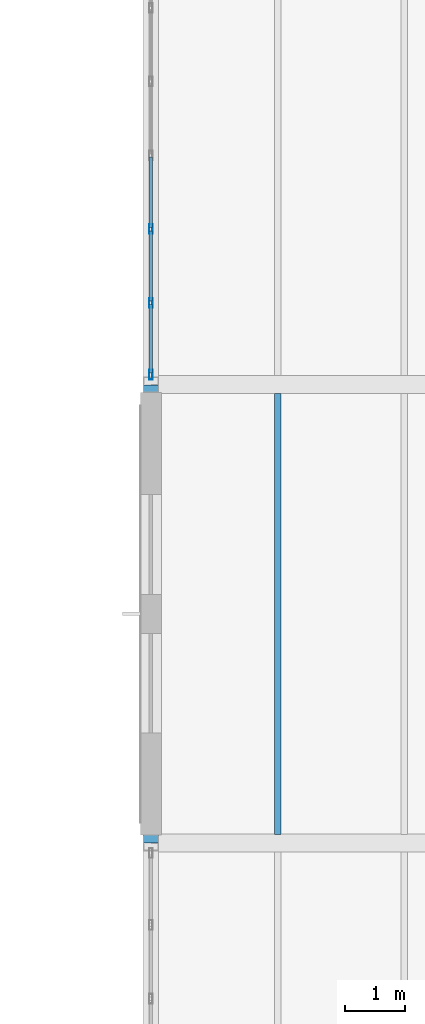
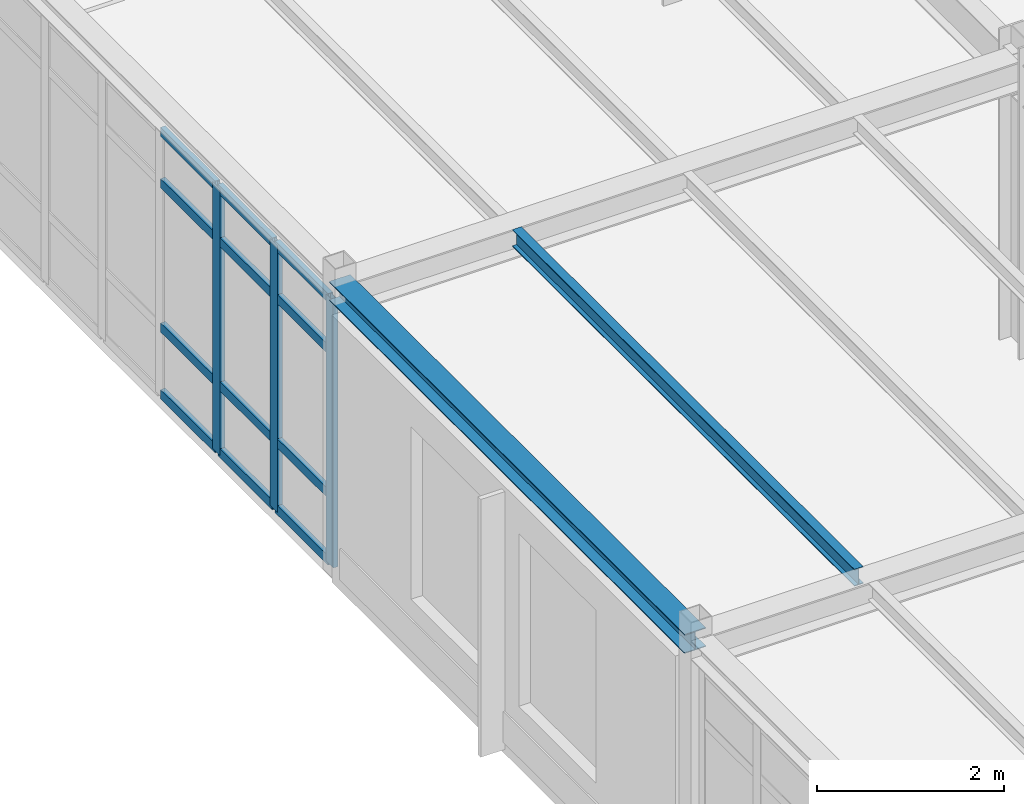
# One storey, part 72 of 189: 15 members, 2 beams, 1 element without a shape of its own.
"""IFC4 building model written with IfcOpenShell, lengths in metres."""

from ifc_helpers import new_model, si_unit, direction, frame, origin, origin_2d, place, context, subcontext, project, spatial, hollow_rectangle, i_section, extrude, material, layer, layer_set, material_profile, profile_set, type_object, element, aggregate, save


model = new_model("IFC4")

# Units and contexts
model_context = context("Model", 3, precision=1e-05, world=origin(), true_north=direction((0.0, 1.0)))
body_context = subcontext(model_context, "Body", "Model", "MODEL_VIEW")
ifc_project = project(units=[si_unit("LENGTHUNIT", "METRE"), si_unit("AREAUNIT", "SQUARE_METRE"), si_unit("VOLUMEUNIT", "CUBIC_METRE"), si_unit("PLANEANGLEUNIT", "RADIAN"), si_unit("MASSUNIT", "GRAM", prefix="KILO")], contexts=[model_context])

# Site, building, storey
site_placement = place(None, origin())
site = spatial("IfcSite", under=ifc_project, at=site_placement, CompositionType="ELEMENT")
building_placement = place(site_placement, origin())
building = spatial("IfcBuilding", under=site, at=building_placement, Name="Montecoro Central Library", CompositionType="ELEMENT")
storey_placement = place(building_placement, frame((0.0, 0.0, 9.179931640625)))
storey = spatial("IfcBuildingStorey", under=building, at=storey_placement, Name="L02", CompositionType="ELEMENT", Elevation=9.179931640625)

# Beams
ifc_material_1 = material(Name="Steel S355", Category="steel")
ifc_material_profile_1 = material_profile(ifc_material_1, i_section(OverallWidth=0.110107421875, OverallDepth=0.219970703125, WebThickness=0.005859375, FlangeThickness=0.00927734375, at=origin_2d()), Name="IPE 220")
ifc_profile_set_1 = profile_set([ifc_material_profile_1], Name="Steel S355")
beam_type_1 = type_object("IfcBeamType", Name="BM-J-IPE220", PredefinedType="JOIST", material=ifc_profile_set_1)
beam_1_placement = place(storey_placement, frame((68.5, 88.7470703125, 3.715087890625), z_axis=(0.0, 1.0, 0.0), x_axis=(-1.0, 0.0, 0.0)))
element("IfcBeam", 1, at=beam_1_placement, inside=storey, type_object=beam_type_1, Name="V2-L02-JS-910-MN-1", PredefinedType="JOIST", context=body_context, shape_type="SweptSolid", body=[
    extrude(i_section(OverallWidth=0.110107421875, OverallDepth=0.219970703125, WebThickness=0.005859375, FlangeThickness=0.00927734375, at=origin_2d()), origin(), (0.0, 0.0, 1.0), 7.305908203125),
])
ifc_material_profile_2 = material_profile(ifc_material_1, i_section(OverallWidth=0.260009765625, OverallDepth=0.25, WebThickness=0.007568359375, FlangeThickness=0.012451171875, at=origin_2d()), Name="HEA 260")
ifc_profile_set_2 = profile_set([ifc_material_profile_2], Name="Steel S355")
beam_type_2 = type_object("IfcBeamType", Name="BM-SP-HEA260", PredefinedType="SPANDREL", material=ifc_profile_set_2)
beam_2_placement = place(storey_placement, frame((66.39990234375, 88.60498046875, 3.699951171875), z_axis=(0.0, 1.0, 0.0), x_axis=(-1.0, 0.0, 0.0)))
element("IfcBeam", 2, at=beam_2_placement, inside=storey, type_object=beam_type_2, Name="V2-L02-BY-9-MN", PredefinedType="SPANDREL", context=body_context, shape_type="SweptSolid", body=[
    extrude(i_section(OverallWidth=0.260009765625, OverallDepth=0.25, WebThickness=0.007568359375, FlangeThickness=0.012451171875, at=origin_2d()), origin(), (0.0, 0.0, 1.0), 7.590087890625),
])

# Curtain wall, members
ifc_material_2 = material(Name="Bronze-anodised aluminium and low-E glazing", Category="aluminium")
ifc_layer = layer(ifc_material_2, 0.159912109375)
ifc_layer_set = layer_set([ifc_layer], Name="Bronze-anodised aluminium and low-E glazing")
curtain_wall_type = type_object("IfcCurtainWallType", Name="CWT-017", PredefinedType="NOTDEFINED", material=ifc_layer_set)
curtain_wall_placement = place(storey_placement, origin())
curtain_wall = element("IfcCurtainWall", 3, at=curtain_wall_placement, inside=storey, type_object=curtain_wall_type, Name="V2-L02-CW-W2", PredefinedType="NOTDEFINED")
ifc_material_3 = material(Name="Bronze-anodised aluminium", Category="aluminium")
ifc_material_profile_3 = material_profile(ifc_material_3, hollow_rectangle(XDim=0.06005859375, YDim=0.159912109375, WallThickness=0.00390625, at=origin_2d()), Name="CWM 160x60x4.0")
ifc_profile_set_3 = profile_set([ifc_material_profile_3], Name="Bronze-anodised aluminium")
member_type_1 = type_object("IfcMemberType", Name="CWM-BRZ-60", PredefinedType="MULLION", material=ifc_profile_set_3)
member_1_placement = place(storey_placement, frame((66.39990234375, 98.777587890625, 0.0), z_axis=(0.0, 0.0, 1.0), x_axis=(1.0, 0.0, 0.0)))
member_1 = element("IfcMember", 4, at=member_1_placement, type_object=member_type_1, Name="CW-017 mullion 5", PredefinedType="MULLION", context=body_context, shape_type="SweptSolid", body=[
    extrude(hollow_rectangle(XDim=0.06005859375, YDim=0.159912109375, WallThickness=0.00390625, at=origin_2d()), origin(), (0.0, 0.0, 1.0), 3.47998046875),
])
member_2_placement = place(storey_placement, frame((66.39990234375, 97.555419921875, 0.0), z_axis=(0.0, 0.0, 1.0), x_axis=(1.0, 0.0, 0.0)))
member_2 = element("IfcMember", 5, at=member_2_placement, type_object=member_type_1, Name="CW-017 mullion 6", PredefinedType="MULLION", context=body_context, shape_type="SweptSolid", body=[
    extrude(hollow_rectangle(XDim=0.06005859375, YDim=0.159912109375, WallThickness=0.00390625, at=origin_2d()), origin(), (0.0, 0.0, 1.0), 3.47998046875),
])
member_3_placement = place(storey_placement, frame((66.39990234375, 96.363037109375, 0.0), z_axis=(0.0, 0.0, 1.0), x_axis=(1.0, 0.0, 0.0)))
member_3 = element("IfcMember", 6, at=member_3_placement, type_object=member_type_1, Name="CW-017 mullion 7", PredefinedType="MULLION", context=body_context, shape_type="SweptSolid", body=[
    extrude(hollow_rectangle(XDim=0.06005859375, YDim=0.159912109375, WallThickness=0.00390625, at=origin_2d()), origin(), (0.0, 0.0, 1.0), 3.47998046875),
])
ifc_material_profile_4 = material_profile(ifc_material_3, hollow_rectangle(XDim=0.06005859375, YDim=0.1201171875, WallThickness=0.00390625, at=origin_2d()), Name="CWT 120x60x4.0")
ifc_profile_set_4 = profile_set([ifc_material_profile_4], Name="Bronze-anodised aluminium")
member_type_2 = type_object("IfcMemberType", Name="CWT-BRZ-60", PredefinedType="USERDEFINED", material=ifc_profile_set_4)
member_4_placement = place(storey_placement, frame((66.39990234375, 99.969970703125, 0.030029296875), z_axis=(0.0, -1.0, 0.0), x_axis=(1.0, 0.0, 0.0)))
member_4 = element("IfcMember", 7, at=member_4_placement, type_object=member_type_2, Name="CW-017 transom 4.1", ObjectType="TRANSOM", PredefinedType="USERDEFINED", context=body_context, shape_type="SweptSolid", body=[
    extrude(hollow_rectangle(XDim=0.06005859375, YDim=0.1201171875, WallThickness=0.00390625, at=origin_2d()), origin(), (0.0, 0.0, 1.0), 1.162353515625),
])
member_5_placement = place(storey_placement, frame((66.39990234375, 99.969970703125, 0.900146484375), z_axis=(0.0, -1.0, 0.0), x_axis=(1.0, 0.0, 0.0)))
member_5 = element("IfcMember", 8, at=member_5_placement, type_object=member_type_2, Name="CW-017 transom 4.2", ObjectType="TRANSOM", PredefinedType="USERDEFINED", context=body_context, shape_type="SweptSolid", body=[
    extrude(hollow_rectangle(XDim=0.06005859375, YDim=0.1201171875, WallThickness=0.00390625, at=origin_2d()), origin(), (0.0, 0.0, 1.0), 1.162353515625),
])
member_6_placement = place(storey_placement, frame((66.39990234375, 99.969970703125, 2.780029296875), z_axis=(0.0, -1.0, 0.0), x_axis=(1.0, 0.0, 0.0)))
member_6 = element("IfcMember", 9, at=member_6_placement, type_object=member_type_2, Name="CW-017 transom 4.3", ObjectType="TRANSOM", PredefinedType="USERDEFINED", context=body_context, shape_type="SweptSolid", body=[
    extrude(hollow_rectangle(XDim=0.06005859375, YDim=0.1201171875, WallThickness=0.00390625, at=origin_2d()), origin(), (0.0, 0.0, 1.0), 1.162353515625),
])
member_7_placement = place(storey_placement, frame((66.39990234375, 99.969970703125, 3.449951171875), z_axis=(0.0, -1.0, 0.0), x_axis=(1.0, 0.0, 0.0)))
member_7 = element("IfcMember", 10, at=member_7_placement, type_object=member_type_2, Name="CW-017 transom 4.4", ObjectType="TRANSOM", PredefinedType="USERDEFINED", context=body_context, shape_type="SweptSolid", body=[
    extrude(hollow_rectangle(XDim=0.06005859375, YDim=0.1201171875, WallThickness=0.00390625, at=origin_2d()), origin(), (0.0, 0.0, 1.0), 1.162353515625),
])
member_8_placement = place(storey_placement, frame((66.39990234375, 98.74755859375, 0.030029296875), z_axis=(0.0, -1.0, 0.0), x_axis=(1.0, 0.0, 0.0)))
member_8 = element("IfcMember", 11, at=member_8_placement, type_object=member_type_2, Name="CW-017 transom 5.1", ObjectType="TRANSOM", PredefinedType="USERDEFINED", context=body_context, shape_type="SweptSolid", body=[
    extrude(hollow_rectangle(XDim=0.06005859375, YDim=0.1201171875, WallThickness=0.00390625, at=origin_2d()), origin(), (0.0, 0.0, 1.0), 1.162109375),
])
member_9_placement = place(storey_placement, frame((66.39990234375, 98.74755859375, 0.900146484375), z_axis=(0.0, -1.0, 0.0), x_axis=(1.0, 0.0, 0.0)))
member_9 = element("IfcMember", 12, at=member_9_placement, type_object=member_type_2, Name="CW-017 transom 5.2", ObjectType="TRANSOM", PredefinedType="USERDEFINED", context=body_context, shape_type="SweptSolid", body=[
    extrude(hollow_rectangle(XDim=0.06005859375, YDim=0.1201171875, WallThickness=0.00390625, at=origin_2d()), origin(), (0.0, 0.0, 1.0), 1.162109375),
])
member_10_placement = place(storey_placement, frame((66.39990234375, 98.74755859375, 2.780029296875), z_axis=(0.0, -1.0, 0.0), x_axis=(1.0, 0.0, 0.0)))
member_10 = element("IfcMember", 13, at=member_10_placement, type_object=member_type_2, Name="CW-017 transom 5.3", ObjectType="TRANSOM", PredefinedType="USERDEFINED", context=body_context, shape_type="SweptSolid", body=[
    extrude(hollow_rectangle(XDim=0.06005859375, YDim=0.1201171875, WallThickness=0.00390625, at=origin_2d()), origin(), (0.0, 0.0, 1.0), 1.162109375),
])
member_11_placement = place(storey_placement, frame((66.39990234375, 98.74755859375, 3.449951171875), z_axis=(0.0, -1.0, 0.0), x_axis=(1.0, 0.0, 0.0)))
member_11 = element("IfcMember", 14, at=member_11_placement, type_object=member_type_2, Name="CW-017 transom 5.4", ObjectType="TRANSOM", PredefinedType="USERDEFINED", context=body_context, shape_type="SweptSolid", body=[
    extrude(hollow_rectangle(XDim=0.06005859375, YDim=0.1201171875, WallThickness=0.00390625, at=origin_2d()), origin(), (0.0, 0.0, 1.0), 1.162109375),
])
member_12_placement = place(storey_placement, frame((66.39990234375, 97.525390625, 0.030029296875), z_axis=(0.0, -1.0, 0.0), x_axis=(1.0, 0.0, 0.0)))
member_12 = element("IfcMember", 15, at=member_12_placement, type_object=member_type_2, Name="CW-017 transom 6.1", ObjectType="TRANSOM", PredefinedType="USERDEFINED", context=body_context, shape_type="SweptSolid", body=[
    extrude(hollow_rectangle(XDim=0.06005859375, YDim=0.1201171875, WallThickness=0.00390625, at=origin_2d()), origin(), (0.0, 0.0, 1.0), 1.13232421875),
])
member_13_placement = place(storey_placement, frame((66.39990234375, 97.525390625, 0.900146484375), z_axis=(0.0, -1.0, 0.0), x_axis=(1.0, 0.0, 0.0)))
member_13 = element("IfcMember", 16, at=member_13_placement, type_object=member_type_2, Name="CW-017 transom 6.2", ObjectType="TRANSOM", PredefinedType="USERDEFINED", context=body_context, shape_type="SweptSolid", body=[
    extrude(hollow_rectangle(XDim=0.06005859375, YDim=0.1201171875, WallThickness=0.00390625, at=origin_2d()), origin(), (0.0, 0.0, 1.0), 1.13232421875),
])
member_14_placement = place(storey_placement, frame((66.39990234375, 97.525390625, 2.780029296875), z_axis=(0.0, -1.0, 0.0), x_axis=(1.0, 0.0, 0.0)))
member_14 = element("IfcMember", 17, at=member_14_placement, type_object=member_type_2, Name="CW-017 transom 6.3", ObjectType="TRANSOM", PredefinedType="USERDEFINED", context=body_context, shape_type="SweptSolid", body=[
    extrude(hollow_rectangle(XDim=0.06005859375, YDim=0.1201171875, WallThickness=0.00390625, at=origin_2d()), origin(), (0.0, 0.0, 1.0), 1.13232421875),
])
member_15_placement = place(storey_placement, frame((66.39990234375, 97.525390625, 3.449951171875), z_axis=(0.0, -1.0, 0.0), x_axis=(1.0, 0.0, 0.0)))
member_15 = element("IfcMember", 18, at=member_15_placement, type_object=member_type_2, Name="CW-017 transom 6.4", ObjectType="TRANSOM", PredefinedType="USERDEFINED", context=body_context, shape_type="SweptSolid", body=[
    extrude(hollow_rectangle(XDim=0.06005859375, YDim=0.1201171875, WallThickness=0.00390625, at=origin_2d()), origin(), (0.0, 0.0, 1.0), 1.13232421875),
])
aggregate(curtain_wall, [member_1, member_2, member_3, member_4, member_5, member_6, member_7, member_8, member_9, member_10, member_11, member_12, member_13, member_14, member_15])

save(model, "model.ifc")
